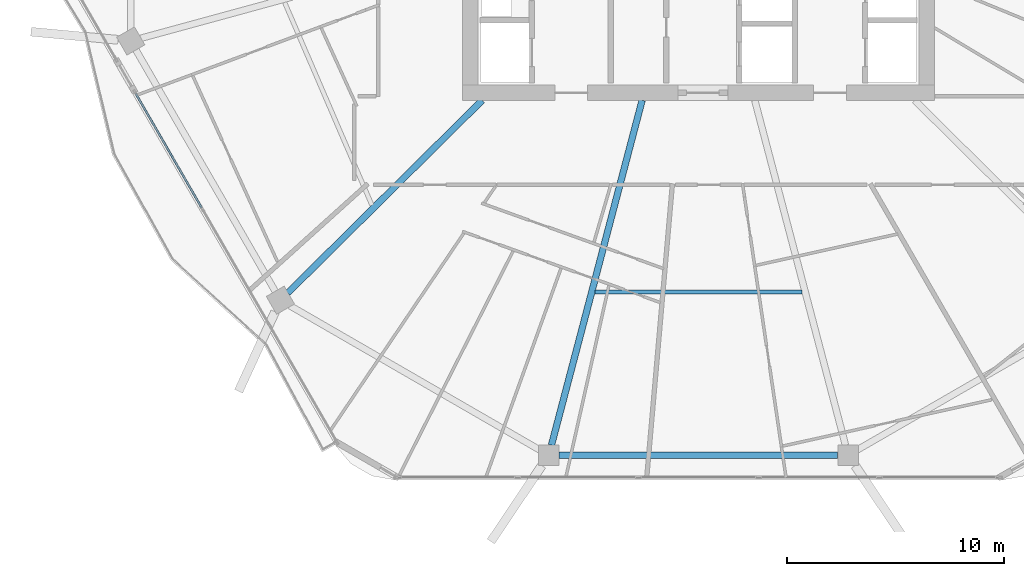
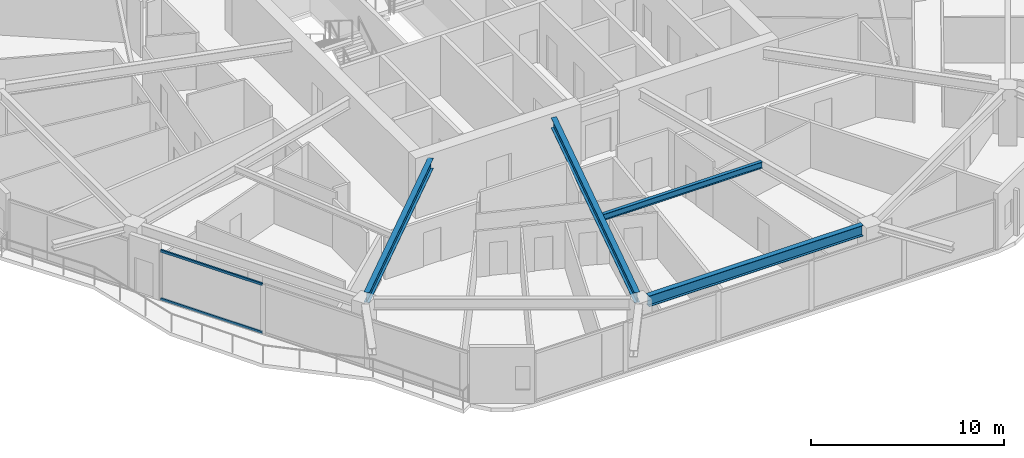
# One storey, part 4 of 26: 4 beams, 2 members, 1 element without a shape of its own.
"""IFC4 building model written with IfcOpenShell, lengths in metres."""

from ifc_helpers import new_model, si_unit, direction, frame, origin, origin_2d, place, context, subcontext, project, spatial, hollow_rectangle, i_section, extrude, material, material_profile, profile_set, type_object, element, aggregate, save


model = new_model("IFC4")

# Units and contexts
model_context = context("Model", 3, precision=1e-05, world=origin(), true_north=direction((0.0, 1.0)))
body_context = subcontext(model_context, "Body", "Model", "MODEL_VIEW")
ifc_project = project(units=[si_unit("LENGTHUNIT", "METRE"), si_unit("AREAUNIT", "SQUARE_METRE"), si_unit("VOLUMEUNIT", "CUBIC_METRE"), si_unit("PLANEANGLEUNIT", "RADIAN"), si_unit("MASSUNIT", "GRAM", prefix="KILO")], contexts=[model_context])

# Site, building, storey
site_placement = place(None, origin())
site = spatial("IfcSite", under=ifc_project, at=site_placement, CompositionType="ELEMENT")
building_placement = place(site_placement, origin())
building = spatial("IfcBuilding", under=site, at=building_placement, Name="Zuhravey Tower", CompositionType="ELEMENT")
storey_placement = place(building_placement, frame((0.0, 0.0, 203.60009765625)))
storey = spatial("IfcBuildingStorey", under=building, at=storey_placement, Name="L51", CompositionType="ELEMENT", Elevation=203.60009765625)

# Curtain wall, members
ifc_material_1 = material(Name="Thermally broken anodised aluminium", Category="aluminium")
curtain_wall_type = type_object("IfcCurtainWallType", Name="Zone 1-2 Residential Curtain Wall CW3", PredefinedType="NOTDEFINED", material=ifc_material_1)
curtain_wall_placement = place(storey_placement, origin())
curtain_wall = element("IfcCurtainWall", 1, at=curtain_wall_placement, inside=storey, type_object=curtain_wall_type, Name="L51 CW3 CW-L51-F4-1", PredefinedType="NOTDEFINED")
ifc_material_2 = material(Name="Anodised aluminium", Category="aluminium")
ifc_material_profile_1 = material_profile(ifc_material_2, hollow_rectangle(XDim=0.090087890625, YDim=0.14990234375, WallThickness=0.0048828125, at=origin_2d()), Name="ALU-RHS-90x150x5")
ifc_profile_set_1 = profile_set([ifc_material_profile_1], Name="Anodised aluminium")
member_type = type_object("IfcMemberType", Name="Curtain-Wall Transom 90x150", PredefinedType="USERDEFINED", material=ifc_profile_set_1)
member_1_placement = place(storey_placement, frame((13.157958984375, 17.197509765625, 0.044921875), z_axis=(-0.49999965181, 0.866025604812, 0.0), x_axis=(-0.866025604812, -0.49999965181, 0.0)))
member_1 = element("IfcMember", 2, at=member_1_placement, type_object=member_type, Name="CW3 transom 3.1", ObjectType="TRANSOM", PredefinedType="USERDEFINED", context=body_context, shape_type="SweptSolid", body=[
    extrude(hollow_rectangle(XDim=0.090087890625, YDim=0.14990234375, WallThickness=0.0048828125, at=origin_2d()), origin(), (0.0, 0.0, 1.0), 6.07373046875),
])
member_2_placement = place(storey_placement, frame((13.157958984375, 17.197509765625, 3.076904296875), z_axis=(-0.49999965181, 0.866025604812, 0.0), x_axis=(-0.866025604812, -0.49999965181, 0.0)))
member_2 = element("IfcMember", 3, at=member_2_placement, type_object=member_type, Name="CW3 transom 3.2", ObjectType="TRANSOM", PredefinedType="USERDEFINED", context=body_context, shape_type="SweptSolid", body=[
    extrude(hollow_rectangle(XDim=0.090087890625, YDim=0.14990234375, WallThickness=0.0048828125, at=origin_2d()), origin(), (0.0, 0.0, 1.0), 6.07373046875),
])
aggregate(curtain_wall, [member_1, member_2])

# Beams
ifc_material_3 = material(Name="Steel SM355", Category="steel")
ifc_material_profile_2 = material_profile(ifc_material_3, i_section(OverallWidth=0.300048828125, OverallDepth=0.679931640625, WebThickness=0.012939453125, FlangeThickness=0.02197265625, at=origin_2d()), Name="H-680x300x13x22")
ifc_profile_set_2 = profile_set([ifc_material_profile_2], Name="Steel SM355")
beam_type_1 = type_object("IfcBeamType", Name="Perimeter Ring Beam H680x300", PredefinedType="BEAM", material=ifc_profile_set_2)
beam_1_placement = place(storey_placement, frame((29.595947265625, 5.826904296875, 3.2099609375), z_axis=(1.0, 0.0, 0.0), x_axis=(0.0, 1.0, 0.0)))
element("IfcBeam", 4, at=beam_1_placement, inside=storey, type_object=beam_type_1, Name="L51 PB2 BM-L51-PB-09", PredefinedType="BEAM", context=body_context, shape_type="SweptSolid", body=[
    extrude(i_section(OverallWidth=0.300048828125, OverallDepth=0.679931640625, WebThickness=0.012939453125, FlangeThickness=0.02197265625, at=origin_2d()), origin(), (0.0, 0.0, 1.0), 12.80810546875),
])
ifc_material_profile_3 = material_profile(ifc_material_3, i_section(OverallWidth=0.300048828125, OverallDepth=0.64990234375, WebThickness=0.012939453125, FlangeThickness=0.02197265625, at=origin_2d()), Name="H-650x300x13x22")
ifc_profile_set_3 = profile_set([ifc_material_profile_3], Name="Steel SM355")
beam_type_2 = type_object("IfcBeamType", Name="Radial Primary Girder H650x300", PredefinedType="BEAM", material=ifc_profile_set_3)
beam_2_placement = place(storey_placement, frame((26.054443359375, 22.14697265625, 3.224853515625), z_axis=(-0.710406645816, -0.703791444663, 0.0), x_axis=(0.703791444663, -0.710406645816, 0.0)))
element("IfcBeam", 5, at=beam_2_placement, inside=storey, type_object=beam_type_2, Name="L51 RG2 BM-L51-RAD-08", PredefinedType="BEAM", context=body_context, shape_type="SweptSolid", body=[
    extrude(i_section(OverallWidth=0.300048828125, OverallDepth=0.64990234375, WebThickness=0.012939453125, FlangeThickness=0.02197265625, at=origin_2d()), origin(), (0.0, 0.0, 1.0), 12.5849609375),
])
beam_3_placement = place(storey_placement, frame((33.4091796875, 22.14697265625, 3.224853515625), z_axis=(-0.254299806285, -0.967125435775, 0.0), x_axis=(0.967125435775, -0.254299806285, 0.0)))
element("IfcBeam", 6, at=beam_3_placement, inside=storey, type_object=beam_type_2, Name="L51 RG2 BM-L51-RAD-09", PredefinedType="BEAM", context=body_context, shape_type="SweptSolid", body=[
    extrude(i_section(OverallWidth=0.300048828125, OverallDepth=0.64990234375, WebThickness=0.012939453125, FlangeThickness=0.02197265625, at=origin_2d()), origin(), (0.0, 0.0, 1.0), 16.396728515625),
])
ifc_material_profile_4 = material_profile(ifc_material_3, i_section(OverallWidth=0.199951171875, OverallDepth=0.39990234375, WebThickness=0.008056640625, FlangeThickness=0.012939453125, at=origin_2d()), Name="H-400x200x8x13")
ifc_profile_set_4 = profile_set([ifc_material_profile_4], Name="Steel SM355")
beam_type_3 = type_object("IfcBeamType", Name="Secondary Floor Joist H400x200", PredefinedType="JOIST", material=ifc_profile_set_4)
beam_4_placement = place(storey_placement, frame((31.245849609375, 13.334228515625, 3.349853515625), z_axis=(1.0, 0.0, 0.0), x_axis=(0.0, 1.0, 0.0)))
element("IfcBeam", 7, at=beam_4_placement, inside=storey, type_object=beam_type_3, Name="L51 SJ2 BM-L51-SJ-09-1", PredefinedType="JOIST", context=body_context, shape_type="SweptSolid", body=[
    extrude(i_section(OverallWidth=0.199951171875, OverallDepth=0.39990234375, WebThickness=0.008056640625, FlangeThickness=0.012939453125, at=origin_2d()), origin(), (0.0, 0.0, 1.0), 9.50830078125),
])

save(model, "model.ifc")
